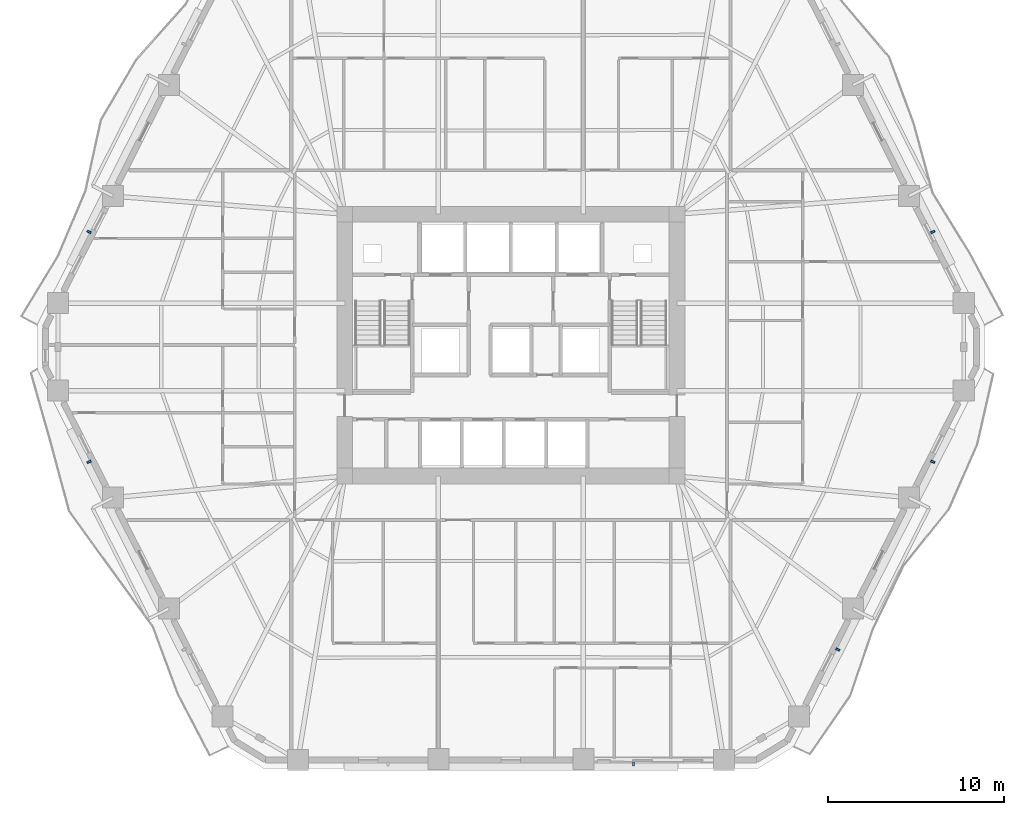
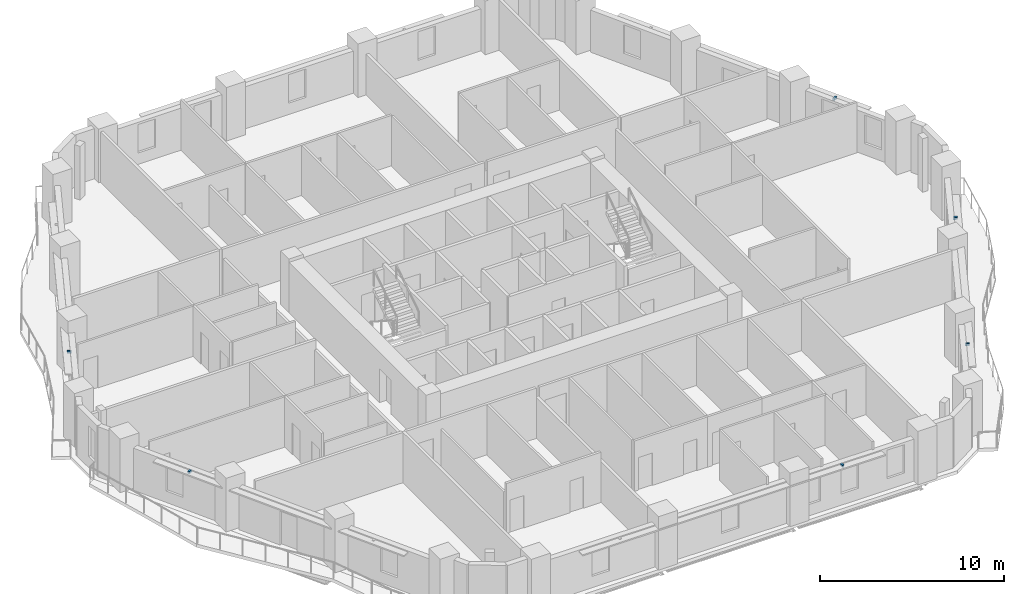
# One storey, part 9 of 14: 6 discrete accessories.
"""IFC4 building model written with IfcOpenShell, lengths in metres."""

from ifc_helpers import new_model, si_unit, direction, frame, origin, origin_2d, place, context, subcontext, project, spatial, rectangle, extrude, material, type_object, element, save


model = new_model("IFC4")

# Units and contexts
model_context = context("Model", 3, precision=1e-05, world=origin(), true_north=direction((0.0, 1.0)))
body_context = subcontext(model_context, "Body", "Model", "MODEL_VIEW")
ifc_project = project(units=[si_unit("LENGTHUNIT", "METRE"), si_unit("AREAUNIT", "SQUARE_METRE"), si_unit("VOLUMEUNIT", "CUBIC_METRE"), si_unit("PLANEANGLEUNIT", "RADIAN"), si_unit("MASSUNIT", "GRAM", prefix="KILO")], contexts=[model_context])

# Site, building, storey
site_placement = place(None, origin())
site = spatial("IfcSite", under=ifc_project, at=site_placement, CompositionType="ELEMENT")
building_placement = place(site_placement, origin())
building = spatial("IfcBuilding", under=site, at=building_placement, Name="Cinnabar Lancet Tower", CompositionType="ELEMENT")
storey_placement = place(building_placement, frame((0.0, 0.0, 35.550048828125)))
storey = spatial("IfcBuildingStorey", under=building, at=storey_placement, Name="L08", CompositionType="ELEMENT", Elevation=35.550048828125)

# Discrete accessories
ifc_material = material(Name="Stainless steel 316 facade fixing bracket", Category="steel")
discrete_accessory_type = type_object("IfcDiscreteAccessoryType", Name="ENV-ACC-BRK-180", PredefinedType="BRACKET", material=ifc_material)
for number, where, z_axis, x_axis, name in (
    (1, (39.383056640625, 2.06005859375, 2.60009765625), (0.0, 0.0, 1.0), (1.0, 0.0, 0.0), "L08 Face 1 Sunshade Bracket B"),
    (2, (50.993896484375, 8.5791015625, 2.60009765625), (0.0, 0.0, 1.0), (0.451500573218, 0.892270829056, 0.0), "L08 Face 2 Sunshade Bracket A"),
    (3, (56.39892578125, 19.260009765625, 2.60009765625), (0.0, 0.0, 1.0), (0.451500573218, 0.892270829056, 0.0), "L08 Face 2 Sunshade Bracket B"),
    (4, (56.39892578125, 32.340087890625, 2.60009765625), (0.0, 0.0, 1.0), (-0.451500573218, 0.892270829056, 0.0), "L08 Face 3 Sunshade Bracket A"),
    (5, (8.40087890625, 32.340087890625, 2.60009765625), (0.0, 0.0, 1.0), (-0.451500573218, -0.892270829056, 0.0), "L08 Face 5 Sunshade Bracket B"),
    (6, (8.40087890625, 19.260009765625, 2.60009765625), (0.0, 0.0, 1.0), (0.451500573218, -0.892270829056, 0.0), "L08 Face 6 Sunshade Bracket A"),
):
    element("IfcDiscreteAccessory", number, at=place(storey_placement, frame(where, z_axis=z_axis, x_axis=x_axis)), inside=storey, type_object=discrete_accessory_type, Name=name, PredefinedType="BRACKET", context=body_context, shape_type="SweptSolid", body=[
        extrude(rectangle(XDim=0.1201171875, YDim=0.239990234375, at=origin_2d()), origin(), (0.0, 0.0, 1.0), 0.159912109375),
    ])

save(model, "model.ifc")
